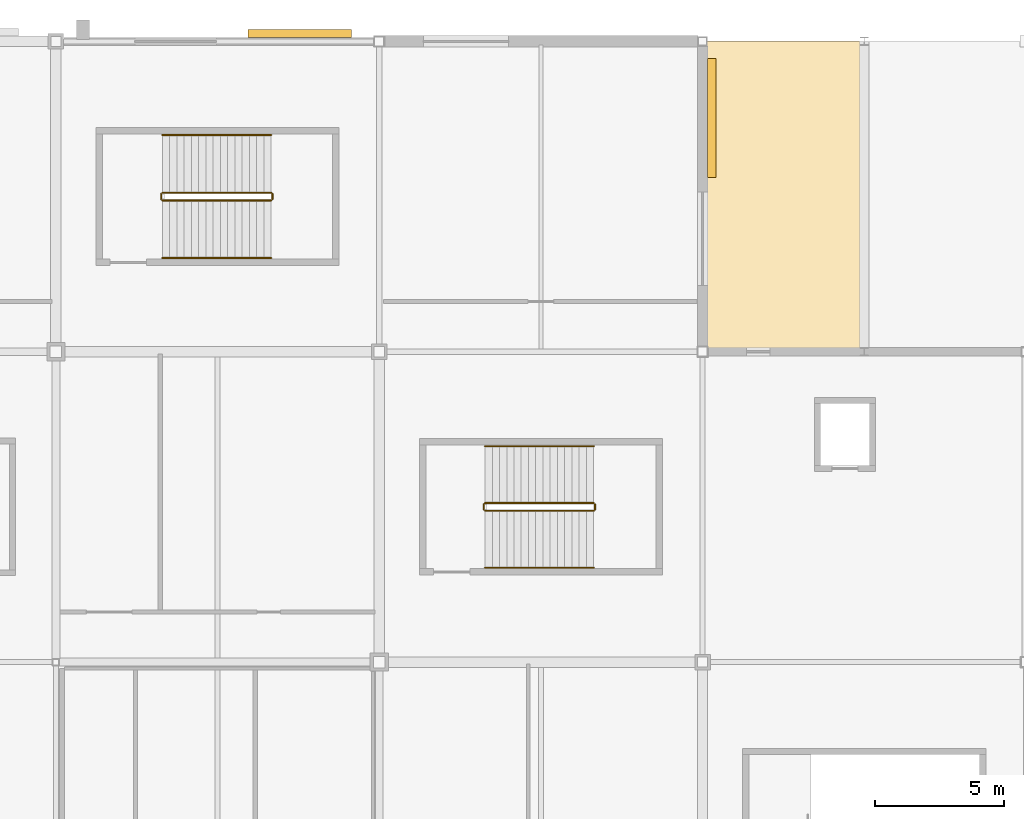
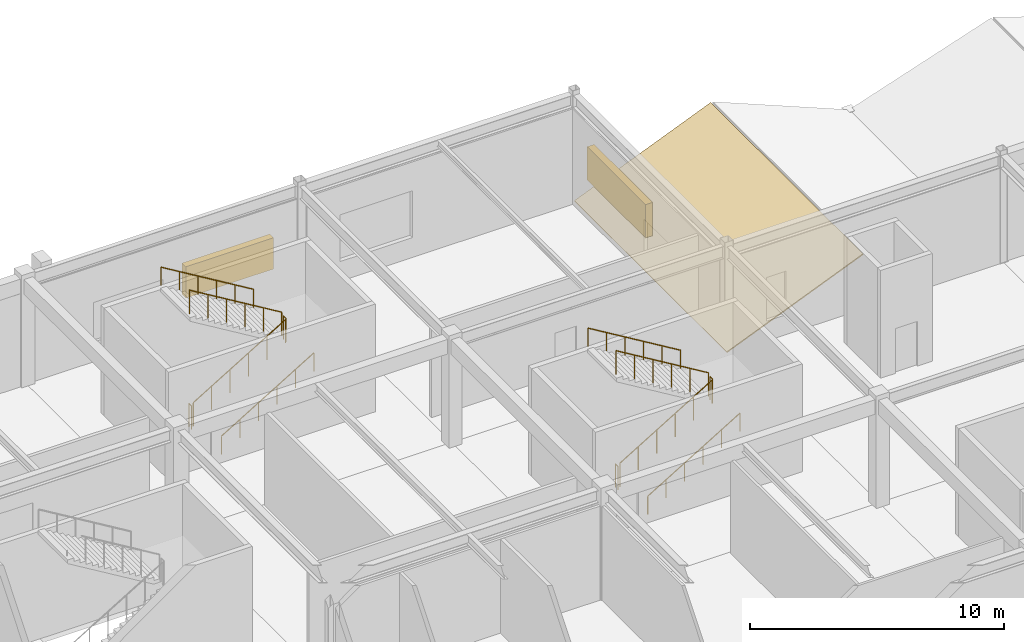
# One storey, part 102 of 105: 12 railings, 2 shading devices, 1 covering.
"""IFC4 building model written with IfcOpenShell, lengths in metres."""

from ifc_helpers import new_model, si_unit, direction, frame, origin, origin_2d, place, context, subcontext, project, spatial, polyline, rectangle, circle, outline, extrude, material, layer, layer_set, type_object, element, save


model = new_model("IFC4")

# Units and contexts
model_context = context("Model", 3, precision=1e-05, world=origin(), true_north=direction((0.0, 1.0)))
body_context = subcontext(model_context, "Body", "Model", "MODEL_VIEW")
ifc_project = project(units=[si_unit("LENGTHUNIT", "METRE"), si_unit("AREAUNIT", "SQUARE_METRE"), si_unit("VOLUMEUNIT", "CUBIC_METRE"), si_unit("PLANEANGLEUNIT", "RADIAN"), si_unit("MASSUNIT", "GRAM", prefix="KILO")], contexts=[model_context])

# Site, building, storey
site_placement = place(None, origin())
site = spatial("IfcSite", under=ifc_project, at=site_placement, CompositionType="ELEMENT")
building_placement = place(site_placement, origin())
building = spatial("IfcBuilding", under=site, at=building_placement, Name="Kazenohara Klinker Stadium", CompositionType="ELEMENT")
storey_placement = place(building_placement, frame((0.0, 0.0, 20.39990234375)))
storey = spatial("IfcBuildingStorey", under=building, at=storey_placement, Name="L04", CompositionType="ELEMENT", Elevation=20.39990234375)

# Covering
ifc_material_1 = material(Name="Insulated standing-seam copper roofing", Category="metal")
ifc_layer_1 = layer(ifc_material_1, 0.050048828125)
ifc_layer_set_1 = layer_set([ifc_layer_1], Name="Insulated standing-seam copper roofing")
covering_type = type_object("IfcCoveringType", Name="COV-ROOF-01", PredefinedType="ROOFING", material=ifc_layer_set_1)
covering_placement = place(storey_placement, frame((86.5, 156.0, -0.02978515625), z_axis=(-0.380352293876, 0.0, 0.924841679718), x_axis=(0.924841679718, 0.0, 0.380352293876)))
element("IfcCovering", 1, at=covering_placement, inside=storey, type_object=covering_type, Name="Standing-seam copper stepped wing roofing L04-A 8/P", PredefinedType="ROOFING", context=body_context, shape_type="SweptSolid", body=[
    extrude(outline(polyline([(0.0, 0.0), (6.703797317791698, 0.0), (6.703797317791698, 12.0), (0.0, 12.0), (0.0, 0.0)])), origin(), (0.0, 0.0, -1.0), 0.050048828125),
])

# Railings
ifc_material_2 = material(Name="Brushed stainless steel 304 handrail", Category="steel")
ifc_layer_2 = layer(ifc_material_2, 0.050048828125)
ifc_layer_set_2 = layer_set([ifc_layer_2], Name="Brushed stainless steel 304 handrail")
railing_type_1 = type_object("IfcRailingType", Name="RL-HND-900", PredefinedType="HANDRAIL", material=ifc_layer_set_2)
railing_1_placement = place(storey_placement, frame((78.090087890625, 147.64990234375, 0.1689453125)))
element("IfcRailing", 2, at=railing_1_placement, inside=storey, type_object=railing_type_1, Name="L04 ST09 stair handrail 1", PredefinedType="HANDRAIL", context=body_context, shape_type="SweptSolid", body=[
    extrude(circle(Radius=0.02392578125, at=origin_2d()), frame((0.0, 0.0, 0.8759765625), z_axis=(0.856476492594, 0.0, 0.516186030065), x_axis=(0.0, 1.0, 0.0)), (0.0, 0.0, 1.0), 4.90380859375),
    extrude(circle(Radius=0.02099609375, at=origin_2d()), origin(), (0.0, 0.0, 1.0), 0.851806640625),
    extrude(circle(Radius=0.02099609375, at=origin_2d()), frame((0.840087890625, 0.0, 0.50634765625)), (0.0, 0.0, 1.0), 0.851806640625),
    extrude(circle(Radius=0.02099609375, at=origin_2d()), frame((1.679931640625, 0.0, 1.012451171875)), (0.0, 0.0, 1.0), 0.851806640625),
    extrude(circle(Radius=0.02099609375, at=origin_2d()), frame((2.52001953125, 0.0, 1.518798828125)), (0.0, 0.0, 1.0), 0.851806640625),
    extrude(circle(Radius=0.02099609375, at=origin_2d()), frame((3.35986328125, 0.0, 2.02490234375)), (0.0, 0.0, 1.0), 0.851806640625),
    extrude(circle(Radius=0.02099609375, at=origin_2d()), frame((4.199951171875, 0.0, 2.53125)), (0.0, 0.0, 1.0), 0.851806640625),
])
railing_2_placement = place(storey_placement, frame((82.2900390625, 152.35009765625, 2.868896484375)))
element("IfcRailing", 3, at=railing_2_placement, inside=storey, type_object=railing_type_1, Name="L04 ST09 stair handrail 2", PredefinedType="HANDRAIL", context=body_context, shape_type="SweptSolid", body=[
    extrude(circle(Radius=0.02392578125, at=origin_2d()), frame((0.0, 0.0, 0.8759765625), z_axis=(-0.856476492594, 0.0, 0.516186030065), x_axis=(0.0, -1.0, 0.0)), (0.0, 0.0, 1.0), 4.90380859375),
    extrude(circle(Radius=0.02099609375, at=origin_2d()), origin(), (0.0, 0.0, 1.0), 0.851806640625),
    extrude(circle(Radius=0.02099609375, at=origin_2d()), frame((-0.840087890625, 0.0, 0.50634765625)), (0.0, 0.0, 1.0), 0.851806640625),
    extrude(circle(Radius=0.02099609375, at=origin_2d()), frame((-1.679931640625, 0.0, 1.012451171875)), (0.0, 0.0, 1.0), 0.851806640625),
    extrude(circle(Radius=0.02099609375, at=origin_2d()), frame((-2.52001953125, 0.0, 1.518798828125)), (0.0, 0.0, 1.0), 0.851806640625),
    extrude(circle(Radius=0.02099609375, at=origin_2d()), frame((-3.35986328125, 0.0, 2.02490234375)), (0.0, 0.0, 1.0), 0.851806640625),
    extrude(circle(Radius=0.02099609375, at=origin_2d()), frame((-4.199951171875, 0.0, 2.53125)), (0.0, 0.0, 1.0), 0.851806640625),
])
railing_3_placement = place(storey_placement, frame((65.6201171875, 159.6201171875, 0.1689453125)))
element("IfcRailing", 4, at=railing_3_placement, inside=storey, type_object=railing_type_1, Name="L04 ST15 stair handrail 1", PredefinedType="HANDRAIL", context=body_context, shape_type="SweptSolid", body=[
    extrude(circle(Radius=0.02392578125, at=origin_2d()), frame((0.0, 0.0, 0.8759765625), z_axis=(0.856476492594, 0.0, 0.516186030065), x_axis=(0.0, 1.0, 0.0)), (0.0, 0.0, 1.0), 4.90380859375),
    extrude(circle(Radius=0.02099609375, at=origin_2d()), origin(), (0.0, 0.0, 1.0), 0.851806640625),
    extrude(circle(Radius=0.02099609375, at=origin_2d()), frame((0.840087890625, 0.0, 0.50634765625)), (0.0, 0.0, 1.0), 0.851806640625),
    extrude(circle(Radius=0.02099609375, at=origin_2d()), frame((1.679931640625, 0.0, 1.012451171875)), (0.0, 0.0, 1.0), 0.851806640625),
    extrude(circle(Radius=0.02099609375, at=origin_2d()), frame((2.52001953125, 0.0, 1.518798828125)), (0.0, 0.0, 1.0), 0.851806640625),
    extrude(circle(Radius=0.02099609375, at=origin_2d()), frame((3.35986328125, 0.0, 2.02490234375)), (0.0, 0.0, 1.0), 0.851806640625),
    extrude(circle(Radius=0.02099609375, at=origin_2d()), frame((4.199951171875, 0.0, 2.53125)), (0.0, 0.0, 1.0), 0.851806640625),
])
railing_4_placement = place(storey_placement, frame((69.820068359375, 164.3798828125, 2.868896484375)))
element("IfcRailing", 5, at=railing_4_placement, inside=storey, type_object=railing_type_1, Name="L04 ST15 stair handrail 2", PredefinedType="HANDRAIL", context=body_context, shape_type="SweptSolid", body=[
    extrude(circle(Radius=0.02392578125, at=origin_2d()), frame((0.0, 0.0, 0.8759765625), z_axis=(-0.856476492594, 0.0, 0.516186030065), x_axis=(0.0, -1.0, 0.0)), (0.0, 0.0, 1.0), 4.90380859375),
    extrude(circle(Radius=0.02099609375, at=origin_2d()), origin(), (0.0, 0.0, 1.0), 0.851806640625),
    extrude(circle(Radius=0.02099609375, at=origin_2d()), frame((-0.840087890625, 0.0, 0.50634765625)), (0.0, 0.0, 1.0), 0.851806640625),
    extrude(circle(Radius=0.02099609375, at=origin_2d()), frame((-1.679931640625, 0.0, 1.012451171875)), (0.0, 0.0, 1.0), 0.851806640625),
    extrude(circle(Radius=0.02099609375, at=origin_2d()), frame((-2.52001953125, 0.0, 1.518798828125)), (0.0, 0.0, 1.0), 0.851806640625),
    extrude(circle(Radius=0.02099609375, at=origin_2d()), frame((-3.35986328125, 0.0, 2.02490234375)), (0.0, 0.0, 1.0), 0.851806640625),
    extrude(circle(Radius=0.02099609375, at=origin_2d()), frame((-4.199951171875, 0.0, 2.53125)), (0.0, 0.0, 1.0), 0.851806640625),
])
ifc_material_3 = material(Name="Painted steel stairwell guardrail", Category="steel")
ifc_layer_3 = layer(ifc_material_3, 0.06005859375)
ifc_layer_set_3 = layer_set([ifc_layer_3], Name="Painted steel stairwell guardrail")
railing_type_2 = type_object("IfcRailingType", Name="RL-STG-1120", PredefinedType="GUARDRAIL", material=ifc_layer_set_3)
railing_5_placement = place(storey_placement, frame((78.090087890625, 149.85009765625, 0.1689453125)))
element("IfcRailing", 6, at=railing_5_placement, inside=storey, type_object=railing_type_2, Name="L04 ST09 stair guard 1", PredefinedType="GUARDRAIL", context=body_context, shape_type="SweptSolid", body=[
    extrude(circle(Radius=0.02392578125, at=origin_2d()), frame((0.0, 0.0, 1.1259765625), z_axis=(0.856476492594, 0.0, 0.516186030065), x_axis=(0.0, 1.0, 0.0)), (0.0, 0.0, 1.0), 4.90380859375),
    extrude(circle(Radius=0.02099609375, at=origin_2d()), origin(), (0.0, 0.0, 1.0), 1.101806640625),
    extrude(circle(Radius=0.02099609375, at=origin_2d()), frame((0.840087890625, 0.0, 0.50634765625)), (0.0, 0.0, 1.0), 1.101806640625),
    extrude(circle(Radius=0.02099609375, at=origin_2d()), frame((1.679931640625, 0.0, 1.012451171875)), (0.0, 0.0, 1.0), 1.101806640625),
    extrude(circle(Radius=0.02099609375, at=origin_2d()), frame((2.52001953125, 0.0, 1.518798828125)), (0.0, 0.0, 1.0), 1.101806640625),
    extrude(circle(Radius=0.02099609375, at=origin_2d()), frame((3.35986328125, 0.0, 2.02490234375)), (0.0, 0.0, 1.0), 1.101806640625),
    extrude(circle(Radius=0.02099609375, at=origin_2d()), frame((4.199951171875, 0.0, 2.53125)), (0.0, 0.0, 1.0), 1.101806640625),
])
railing_6_placement = place(storey_placement, frame((82.340087890625, 149.89990234375, 2.7001953125)))
element("IfcRailing", 7, at=railing_6_placement, inside=storey, type_object=railing_type_2, Name="L04 ST09 stair guard 2", PredefinedType="GUARDRAIL", context=body_context, shape_type="SweptSolid", body=[
    extrude(circle(Radius=0.02392578125, at=origin_2d()), frame((0.0, 0.0, 1.1259765625), z_axis=(0.0, 1.0, 0.0), x_axis=(-1.0, 0.0, 0.0)), (0.0, 0.0, 1.0), 0.2001953125),
    extrude(circle(Radius=0.02099609375, at=origin_2d()), origin(), (0.0, 0.0, 1.0), 1.101806640625),
    extrude(circle(Radius=0.02099609375, at=origin_2d()), frame((0.0, 0.2001953125, 0.0)), (0.0, 0.0, 1.0), 1.101806640625),
])
railing_7_placement = place(storey_placement, frame((82.2900390625, 150.14990234375, 2.868896484375)))
element("IfcRailing", 8, at=railing_7_placement, inside=storey, type_object=railing_type_2, Name="L04 ST09 stair guard 3", PredefinedType="GUARDRAIL", context=body_context, shape_type="SweptSolid", body=[
    extrude(circle(Radius=0.02392578125, at=origin_2d()), frame((0.0, 0.0, 1.1259765625), z_axis=(-0.856476492594, 0.0, 0.516186030065), x_axis=(0.0, -1.0, 0.0)), (0.0, 0.0, 1.0), 4.90380859375),
    extrude(circle(Radius=0.02099609375, at=origin_2d()), origin(), (0.0, 0.0, 1.0), 1.101806640625),
    extrude(circle(Radius=0.02099609375, at=origin_2d()), frame((-0.840087890625, 0.0, 0.50634765625)), (0.0, 0.0, 1.0), 1.101806640625),
    extrude(circle(Radius=0.02099609375, at=origin_2d()), frame((-1.679931640625, 0.0, 1.012451171875)), (0.0, 0.0, 1.0), 1.101806640625),
    extrude(circle(Radius=0.02099609375, at=origin_2d()), frame((-2.52001953125, 0.0, 1.518798828125)), (0.0, 0.0, 1.0), 1.101806640625),
    extrude(circle(Radius=0.02099609375, at=origin_2d()), frame((-3.35986328125, 0.0, 2.02490234375)), (0.0, 0.0, 1.0), 1.101806640625),
    extrude(circle(Radius=0.02099609375, at=origin_2d()), frame((-4.199951171875, 0.0, 2.53125)), (0.0, 0.0, 1.0), 1.101806640625),
])
railing_8_placement = place(storey_placement, frame((78.0400390625, 149.89990234375, 0.0)))
element("IfcRailing", 9, at=railing_8_placement, inside=storey, type_object=railing_type_2, Name="L04 ST09 stair guard 4", PredefinedType="GUARDRAIL", context=body_context, shape_type="SweptSolid", body=[
    extrude(circle(Radius=0.02392578125, at=origin_2d()), frame((0.0, 0.0, 1.1259765625), z_axis=(0.0, 1.0, 0.0), x_axis=(-1.0, 0.0, 0.0)), (0.0, 0.0, 1.0), 0.2001953125),
    extrude(circle(Radius=0.02099609375, at=origin_2d()), origin(), (0.0, 0.0, 1.0), 1.101806640625),
    extrude(circle(Radius=0.02099609375, at=origin_2d()), frame((0.0, 0.2001953125, 0.0)), (0.0, 0.0, 1.0), 1.101806640625),
])
railing_9_placement = place(storey_placement, frame((65.6201171875, 161.85009765625, 0.1689453125)))
element("IfcRailing", 10, at=railing_9_placement, inside=storey, type_object=railing_type_2, Name="L04 ST15 stair guard 1", PredefinedType="GUARDRAIL", context=body_context, shape_type="SweptSolid", body=[
    extrude(circle(Radius=0.02392578125, at=origin_2d()), frame((0.0, 0.0, 1.1259765625), z_axis=(0.856476492594, 0.0, 0.516186030065), x_axis=(0.0, 1.0, 0.0)), (0.0, 0.0, 1.0), 4.90380859375),
    extrude(circle(Radius=0.02099609375, at=origin_2d()), origin(), (0.0, 0.0, 1.0), 1.101806640625),
    extrude(circle(Radius=0.02099609375, at=origin_2d()), frame((0.840087890625, 0.0, 0.50634765625)), (0.0, 0.0, 1.0), 1.101806640625),
    extrude(circle(Radius=0.02099609375, at=origin_2d()), frame((1.679931640625, 0.0, 1.012451171875)), (0.0, 0.0, 1.0), 1.101806640625),
    extrude(circle(Radius=0.02099609375, at=origin_2d()), frame((2.52001953125, 0.0, 1.518798828125)), (0.0, 0.0, 1.0), 1.101806640625),
    extrude(circle(Radius=0.02099609375, at=origin_2d()), frame((3.35986328125, 0.0, 2.02490234375)), (0.0, 0.0, 1.0), 1.101806640625),
    extrude(circle(Radius=0.02099609375, at=origin_2d()), frame((4.199951171875, 0.0, 2.53125)), (0.0, 0.0, 1.0), 1.101806640625),
])
railing_10_placement = place(storey_placement, frame((69.8701171875, 161.89990234375, 2.7001953125)))
element("IfcRailing", 11, at=railing_10_placement, inside=storey, type_object=railing_type_2, Name="L04 ST15 stair guard 2", PredefinedType="GUARDRAIL", context=body_context, shape_type="SweptSolid", body=[
    extrude(circle(Radius=0.02392578125, at=origin_2d()), frame((0.0, 0.0, 1.1259765625), z_axis=(0.0, 1.0, 0.0), x_axis=(-1.0, 0.0, 0.0)), (0.0, 0.0, 1.0), 0.2001953125),
    extrude(circle(Radius=0.02099609375, at=origin_2d()), origin(), (0.0, 0.0, 1.0), 1.101806640625),
    extrude(circle(Radius=0.02099609375, at=origin_2d()), frame((0.0, 0.2001953125, 0.0)), (0.0, 0.0, 1.0), 1.101806640625),
])
railing_11_placement = place(storey_placement, frame((69.820068359375, 162.14990234375, 2.868896484375)))
element("IfcRailing", 12, at=railing_11_placement, inside=storey, type_object=railing_type_2, Name="L04 ST15 stair guard 3", PredefinedType="GUARDRAIL", context=body_context, shape_type="SweptSolid", body=[
    extrude(circle(Radius=0.02392578125, at=origin_2d()), frame((0.0, 0.0, 1.1259765625), z_axis=(-0.856476492594, 0.0, 0.516186030065), x_axis=(0.0, -1.0, 0.0)), (0.0, 0.0, 1.0), 4.90380859375),
    extrude(circle(Radius=0.02099609375, at=origin_2d()), origin(), (0.0, 0.0, 1.0), 1.101806640625),
    extrude(circle(Radius=0.02099609375, at=origin_2d()), frame((-0.840087890625, 0.0, 0.50634765625)), (0.0, 0.0, 1.0), 1.101806640625),
    extrude(circle(Radius=0.02099609375, at=origin_2d()), frame((-1.679931640625, 0.0, 1.012451171875)), (0.0, 0.0, 1.0), 1.101806640625),
    extrude(circle(Radius=0.02099609375, at=origin_2d()), frame((-2.52001953125, 0.0, 1.518798828125)), (0.0, 0.0, 1.0), 1.101806640625),
    extrude(circle(Radius=0.02099609375, at=origin_2d()), frame((-3.35986328125, 0.0, 2.02490234375)), (0.0, 0.0, 1.0), 1.101806640625),
    extrude(circle(Radius=0.02099609375, at=origin_2d()), frame((-4.199951171875, 0.0, 2.53125)), (0.0, 0.0, 1.0), 1.101806640625),
])
railing_12_placement = place(storey_placement, frame((65.570068359375, 161.89990234375, 0.0)))
element("IfcRailing", 13, at=railing_12_placement, inside=storey, type_object=railing_type_2, Name="L04 ST15 stair guard 4", PredefinedType="GUARDRAIL", context=body_context, shape_type="SweptSolid", body=[
    extrude(circle(Radius=0.02392578125, at=origin_2d()), frame((0.0, 0.0, 1.1259765625), z_axis=(0.0, 1.0, 0.0), x_axis=(-1.0, 0.0, 0.0)), (0.0, 0.0, 1.0), 0.2001953125),
    extrude(circle(Radius=0.02099609375, at=origin_2d()), origin(), (0.0, 0.0, 1.0), 1.101806640625),
    extrude(circle(Radius=0.02099609375, at=origin_2d()), frame((0.0, 0.2001953125, 0.0)), (0.0, 0.0, 1.0), 1.101806640625),
])

# Shading devices
ifc_material_4 = material(Name="Perforated clinker-brick and bronze louvre grille", Category="masonry")
shading_device_type_1 = type_object("IfcShadingDeviceType", Name="SHD-LOUV-02", PredefinedType="JALOUSIE", material=ifc_material_4)
shading_device_1_placement = place(storey_placement, frame((70.91796875, 168.300048828125, 1.35009765625), z_axis=(0.0, 0.0, 1.0), x_axis=(1.0, 0.0, 0.0)))
element("IfcShadingDevice", 14, at=shading_device_1_placement, inside=storey, type_object=shading_device_type_1, Name="Perforated clinker-brick louvre screen LV02-28", PredefinedType="JALOUSIE", context=body_context, shape_type="SweptSolid", body=[
    extrude(rectangle(XDim=4.0, YDim=0.300048828125, at=origin_2d()), origin(), (0.0, 0.0, 1.0), 1.5),
])
shading_device_type_2 = type_object("IfcShadingDeviceType", Name="SHD-LOUV-03", PredefinedType="JALOUSIE", material=ifc_material_4)
shading_device_2_placement = place(storey_placement, frame((86.860107421875, 165.032958984375, 1.300048828125), z_axis=(0.0, 0.0, 1.0), x_axis=(0.0, 1.0, 0.0)))
element("IfcShadingDevice", 15, at=shading_device_2_placement, inside=storey, type_object=shading_device_type_2, Name="Perforated clinker-brick louvre screen LV03-29", PredefinedType="JALOUSIE", context=body_context, shape_type="SweptSolid", body=[
    extrude(rectangle(XDim=4.60009765625, YDim=0.320068359375, at=origin_2d()), origin(), (0.0, 0.0, 1.0), 1.60009765625),
])

save(model, "model.ifc")
